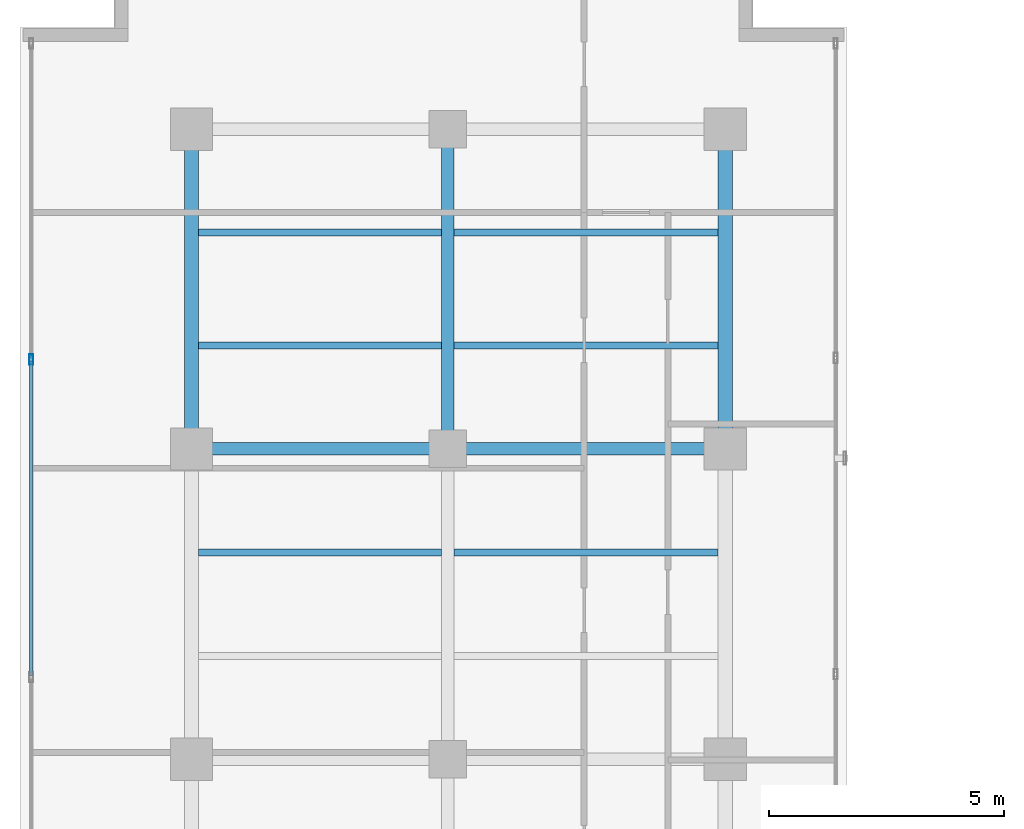
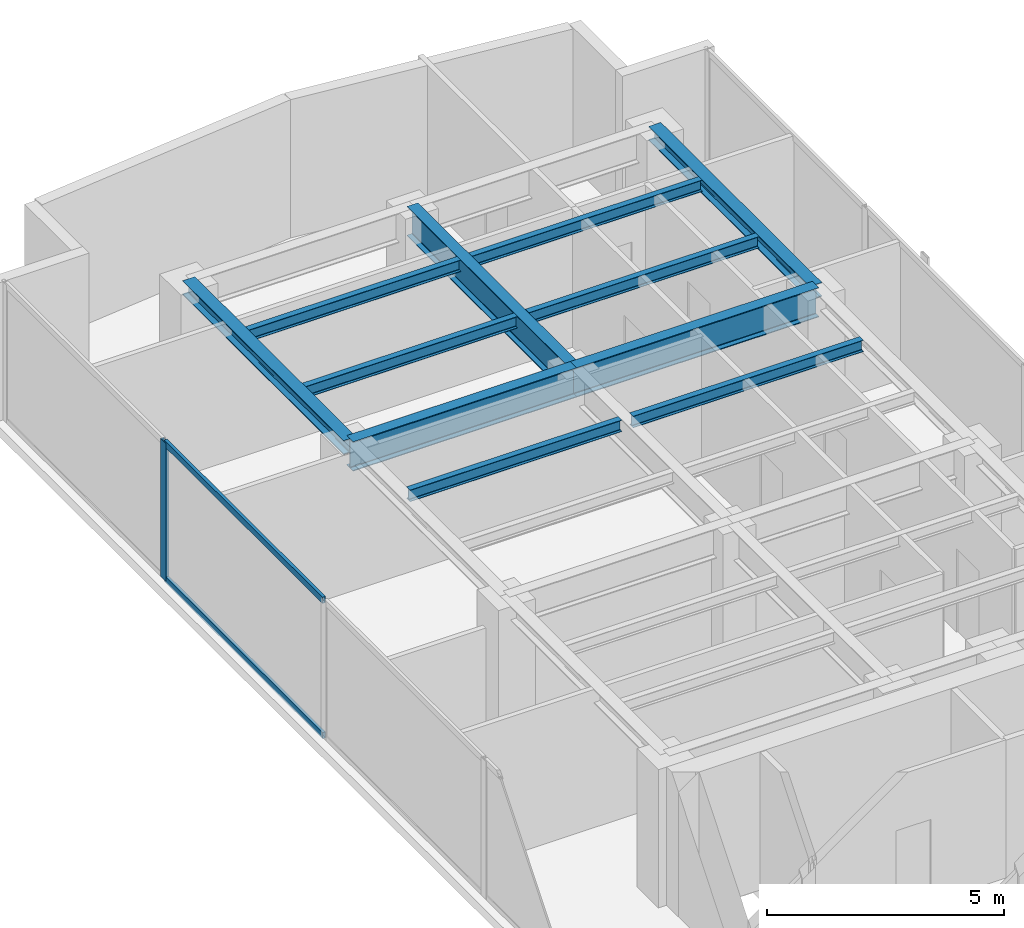
# One storey, part 13 of 22: 11 beams, 3 members, 1 element without a shape of its own.
"""IFC4 building model written with IfcOpenShell, lengths in metres."""

from ifc_helpers import new_model, si_unit, direction, frame, origin, origin_with_axes, origin_2d, place, context, subcontext, project, spatial, hollow_rectangle, i_section, extrude, source, transform, mapped, material, layer, layer_set, material_profile, profile_set, type_object, element, aggregate, save


model = new_model("IFC4")

# Units and contexts
model_context = context("Model", 3, precision=1e-05, world=origin(), true_north=direction((0.0, 1.0)))
body_context = subcontext(model_context, "Body", "Model", "MODEL_VIEW")
ifc_project = project(units=[si_unit("LENGTHUNIT", "METRE"), si_unit("AREAUNIT", "SQUARE_METRE"), si_unit("VOLUMEUNIT", "CUBIC_METRE"), si_unit("PLANEANGLEUNIT", "RADIAN"), si_unit("MASSUNIT", "GRAM", prefix="KILO")], contexts=[model_context])

# Site, building, storey
site_placement = place(None, origin())
site = spatial("IfcSite", under=ifc_project, at=site_placement, CompositionType="ELEMENT")
building_placement = place(site_placement, origin())
building = spatial("IfcBuilding", under=site, at=building_placement, Name="Kolvaren Waterfront Exchange", CompositionType="ELEMENT")
storey_placement = place(building_placement, frame((0.0, 0.0, 266.60009765625)))
storey = spatial("IfcBuildingStorey", under=building, at=storey_placement, Name="L68", CompositionType="ELEMENT", Elevation=266.60009765625)

# Beams
ifc_material_1 = material(Name="Steel S355", Category="steel")
ifc_material_profile_1 = material_profile(ifc_material_1, i_section(OverallWidth=0.300048828125, OverallDepth=0.360107421875, WebThickness=0.012451171875, FlangeThickness=0.0224609375, FilletRadius=0.027099609375, at=origin_2d()), Name="HEB360")
ifc_profile_set_1 = profile_set([ifc_material_profile_1], Name="Steel S355")
beam_type_1 = type_object("IfcBeamType", Name="STR-BM-HEB360", PredefinedType="SPANDREL", material=ifc_profile_set_1)
for number, where, z_axis, x_axis, name in (
    (1, (7.449951171875, 37.800048828125, 3.3798828125), (0.0, 1.0, 0.0), (-1.0, 0.0, 0.0), "L68 north-arm edge beam 3"),
    (2, (18.800048828125, 37.800048828125, 3.3798828125), (0.0, 1.0, 0.0), (-1.0, 0.0, 0.0), "L68 north-arm edge beam 3"),
):
    element("IfcBeam", number, at=place(storey_placement, frame(where, z_axis=z_axis, x_axis=x_axis)), inside=storey, type_object=beam_type_1, Name=name, PredefinedType="SPANDREL", context=body_context, shape_type="SweptSolid", body=[
        extrude(i_section(OverallWidth=0.300048828125, OverallDepth=0.360107421875, WebThickness=0.012451171875, FlangeThickness=0.0224609375, FilletRadius=0.027099609375, at=origin_2d()), origin(), (0.0, 0.0, 1.0), 6.800048828125),
    ])
ifc_material_profile_2 = material_profile(ifc_material_1, i_section(OverallWidth=0.14990234375, OverallDepth=0.300048828125, WebThickness=0.007080078125, FlangeThickness=0.0107421875, FilletRadius=0.014892578125, at=origin_2d()), Name="IPE300")
ifc_profile_set_2 = profile_set([ifc_material_profile_2], Name="Steel S355")
beam_type_2 = type_object("IfcBeamType", Name="STR-BM-IPE300", PredefinedType="JOIST", material=ifc_profile_set_2)
beam_1_placement = place(storey_placement, frame((7.60205078125, 35.60009765625, 3.409912109375), z_axis=(1.0, 0.0, 0.0), x_axis=(0.0, 1.0, 0.0)))
element("IfcBeam", 3, at=beam_1_placement, inside=storey, type_object=beam_type_2, Name="L68 north-arm composite joist 4A", PredefinedType="JOIST", context=body_context, shape_type="SweptSolid", body=[
    extrude(i_section(OverallWidth=0.14990234375, OverallDepth=0.300048828125, WebThickness=0.007080078125, FlangeThickness=0.0107421875, FilletRadius=0.014892578125, at=origin_2d()), origin(), (0.0, 0.0, 1.0), 5.162353515625),
])
beam_2_placement = place(storey_placement, frame((13.035400390625, 35.60009765625, 3.409912109375), z_axis=(1.0, 0.0, 0.0), x_axis=(0.0, 1.0, 0.0)))
element("IfcBeam", 4, at=beam_2_placement, inside=storey, type_object=beam_type_2, Name="L68 north-arm composite joist 4B", PredefinedType="JOIST", context=body_context, shape_type="SweptSolid", body=[
    extrude(i_section(OverallWidth=0.14990234375, OverallDepth=0.300048828125, WebThickness=0.007080078125, FlangeThickness=0.0107421875, FilletRadius=0.014892578125, at=origin_2d()), origin(), (0.0, 0.0, 1.0), 5.612548828125),
])
beam_3_placement = place(storey_placement, frame((7.60205078125, 40.0, 3.409912109375), z_axis=(1.0, 0.0, 0.0), x_axis=(0.0, 1.0, 0.0)))
element("IfcBeam", 5, at=beam_3_placement, inside=storey, type_object=beam_type_2, Name="L68 north-arm composite joist 5A", PredefinedType="JOIST", context=body_context, shape_type="SweptSolid", body=[
    extrude(i_section(OverallWidth=0.14990234375, OverallDepth=0.300048828125, WebThickness=0.007080078125, FlangeThickness=0.0107421875, FilletRadius=0.014892578125, at=origin_2d()), origin(), (0.0, 0.0, 1.0), 5.162353515625),
])
beam_4_placement = place(storey_placement, frame((13.035400390625, 40.0, 3.409912109375), z_axis=(1.0, 0.0, 0.0), x_axis=(0.0, 1.0, 0.0)))
element("IfcBeam", 6, at=beam_4_placement, inside=storey, type_object=beam_type_2, Name="L68 north-arm composite joist 5B", PredefinedType="JOIST", context=body_context, shape_type="SweptSolid", body=[
    extrude(i_section(OverallWidth=0.14990234375, OverallDepth=0.300048828125, WebThickness=0.007080078125, FlangeThickness=0.0107421875, FilletRadius=0.014892578125, at=origin_2d()), origin(), (0.0, 0.0, 1.0), 5.612548828125),
])
beam_5_placement = place(storey_placement, frame((7.60205078125, 42.39990234375, 3.409912109375), z_axis=(1.0, 0.0, 0.0), x_axis=(0.0, 1.0, 0.0)))
element("IfcBeam", 7, at=beam_5_placement, inside=storey, type_object=beam_type_2, Name="L68 north-arm composite joist 6A", PredefinedType="JOIST", context=body_context, shape_type="SweptSolid", body=[
    extrude(i_section(OverallWidth=0.14990234375, OverallDepth=0.300048828125, WebThickness=0.007080078125, FlangeThickness=0.0107421875, FilletRadius=0.014892578125, at=origin_2d()), origin(), (0.0, 0.0, 1.0), 5.162353515625),
])
beam_6_placement = place(storey_placement, frame((13.035400390625, 42.39990234375, 3.409912109375), z_axis=(1.0, 0.0, 0.0), x_axis=(0.0, 1.0, 0.0)))
element("IfcBeam", 8, at=beam_6_placement, inside=storey, type_object=beam_type_2, Name="L68 north-arm composite joist 6B", PredefinedType="JOIST", context=body_context, shape_type="SweptSolid", body=[
    extrude(i_section(OverallWidth=0.14990234375, OverallDepth=0.300048828125, WebThickness=0.007080078125, FlangeThickness=0.0107421875, FilletRadius=0.014892578125, at=origin_2d()), origin(), (0.0, 0.0, 1.0), 5.612548828125),
])
ifc_material_profile_3 = material_profile(ifc_material_1, i_section(OverallWidth=0.26708984375, OverallDepth=0.761962890625, WebThickness=0.014404296875, FlangeThickness=0.021484375, FilletRadius=0.01708984375, at=origin_2d()), Name="IPE750x173")
ifc_profile_set_3 = profile_set([ifc_material_profile_3], Name="Steel S355")
beam_type_3 = type_object("IfcBeamType", Name="STR-BM-IPE750", PredefinedType="BEAM", material=ifc_profile_set_3)
beam_7_placement = place(storey_placement, frame((7.449951171875, 37.800048828125, 3.178955078125), z_axis=(1.0, 0.0, 0.0), x_axis=(0.0, 1.0, 0.0)))
element("IfcBeam", 9, at=beam_7_placement, inside=storey, type_object=beam_type_3, Name="L68 north-arm girder 3A", PredefinedType="BEAM", context=body_context, shape_type="SweptSolid", body=[
    extrude(i_section(OverallWidth=0.26708984375, OverallDepth=0.761962890625, WebThickness=0.014404296875, FlangeThickness=0.021484375, FilletRadius=0.01708984375, at=origin_2d()), origin(), (0.0, 0.0, 1.0), 5.449951171875),
])
beam_8_placement = place(storey_placement, frame((12.89990234375, 37.800048828125, 3.178955078125), z_axis=(1.0, 0.0, 0.0), x_axis=(0.0, 1.0, 0.0)))
element("IfcBeam", 10, at=beam_8_placement, inside=storey, type_object=beam_type_3, Name="L68 north-arm girder 3B", PredefinedType="BEAM", context=body_context, shape_type="SweptSolid", body=[
    extrude(i_section(OverallWidth=0.26708984375, OverallDepth=0.761962890625, WebThickness=0.014404296875, FlangeThickness=0.021484375, FilletRadius=0.01708984375, at=origin_2d()), origin(), (0.0, 0.0, 1.0), 5.900146484375),
])
beam_9_placement = place(storey_placement, frame((12.89990234375, 37.800048828125, 3.178955078125), z_axis=(0.0, 1.0, 0.0), x_axis=(-1.0, 0.0, 0.0)))
element("IfcBeam", 11, at=beam_9_placement, inside=storey, type_object=beam_type_3, Name="L68 north-arm edge beam 3", PredefinedType="BEAM", context=body_context, shape_type="SweptSolid", body=[
    extrude(i_section(OverallWidth=0.26708984375, OverallDepth=0.761962890625, WebThickness=0.014404296875, FlangeThickness=0.021484375, FilletRadius=0.01708984375, at=origin_2d()), origin(), (0.0, 0.0, 1.0), 6.800048828125),
])

# Curtain wall, members
ifc_material_2 = material(Name="Anodised aluminium 6063-T6", Category="aluminium")
ifc_layer = layer(ifc_material_2, 0.219970703125, Name="Anodised aluminium 6063-T6")
ifc_layer_set = layer_set([ifc_layer], Name="Anodised aluminium 6063-T6")
curtain_wall_type = type_object("IfcCurtainWallType", Name="ARC-CW-SYS2", PredefinedType="USERDEFINED", material=ifc_layer_set)
curtain_wall_placement = place(storey_placement, origin())
curtain_wall = element("IfcCurtainWall", 12, at=curtain_wall_placement, inside=storey, type_object=curtain_wall_type, Name="L68 stick curtain wall CW2 (CW-L68-W)", ObjectType="STICK CURTAIN WALL", PredefinedType="USERDEFINED")
ifc_material_profile_4 = material_profile(ifc_material_2, hollow_rectangle(XDim=0.080078125, YDim=0.219970703125, WallThickness=0.0048828125, at=origin_2d()), Name="ALU-MUL-220x80x5")
ifc_profile_set_4 = profile_set([ifc_material_profile_4], Name="Anodised aluminium 6063-T6")
member_type_1 = type_object("IfcMemberType", Name="ARC-CWM-220", PredefinedType="MULLION", material=ifc_profile_set_4)
shared_shape_1 = source(origin_with_axes(), body_context, "Body", "SweptSolid", [
    extrude(hollow_rectangle(XDim=0.080078125, YDim=0.219970703125, WallThickness=0.0048828125, at=origin_2d()), origin(), (0.0, 0.0, 1.0), 3.559814453125),
])
member_1_placement = place(storey_placement, frame((4.0400390625, 39.70263671875, 0.0), z_axis=(0.0, 0.0, 1.0), x_axis=(-1.0, 0.0, 0.0)))
member_1 = element("IfcMember", 13, at=member_1_placement, type_object=member_type_1, Name="CW2 mullion 6", PredefinedType="MULLION", context=body_context, shape_type="MappedRepresentation", body=[
    mapped(shared_shape_1, transform((0.0, 0.0, 0.0), x_axis=(1.0, 0.0, 0.0), y_axis=(0.0, 1.0, 0.0), z_axis=(0.0, 0.0, 1.0), scale=1.0)),
])
ifc_material_profile_5 = material_profile(ifc_material_2, hollow_rectangle(XDim=0.074951171875, YDim=0.159912109375, WallThickness=0.00439453125, at=origin_2d()), Name="ALU-TRN-160x75x4.5")
ifc_profile_set_5 = profile_set([ifc_material_profile_5], Name="Anodised aluminium 6063-T6")
member_type_2 = type_object("IfcMemberType", Name="ARC-CWT-160", PredefinedType="USERDEFINED", material=ifc_profile_set_5)
shared_shape_2 = source(origin_with_axes(), body_context, "Body", "SweptSolid", [
    extrude(hollow_rectangle(XDim=0.074951171875, YDim=0.159912109375, WallThickness=0.00439453125, at=origin_2d()), origin(), (0.0, 0.0, 1.0), 6.680419921875),
])
member_2_placement = place(storey_placement, frame((4.0400390625, 32.982177734375, 0.037353515625), z_axis=(0.0, 1.0, 0.0), x_axis=(-1.0, 0.0, 0.0)))
member_2 = element("IfcMember", 14, at=member_2_placement, type_object=member_type_2, Name="CW2 transom 5.1", ObjectType="TRANSOM", PredefinedType="USERDEFINED", context=body_context, shape_type="MappedRepresentation", body=[
    mapped(shared_shape_2, transform((0.0, 0.0, 0.0), x_axis=(1.0, 0.0, 0.0), y_axis=(0.0, 1.0, 0.0), z_axis=(0.0, 0.0, 1.0), scale=1.0)),
])
member_3_placement = place(storey_placement, frame((4.0400390625, 32.982177734375, 3.5224609375), z_axis=(0.0, 1.0, 0.0), x_axis=(-1.0, 0.0, 0.0)))
member_3 = element("IfcMember", 15, at=member_3_placement, type_object=member_type_2, Name="CW2 transom 5.2", ObjectType="TRANSOM", PredefinedType="USERDEFINED", context=body_context, shape_type="MappedRepresentation", body=[
    mapped(shared_shape_2, transform((0.0, 0.0, 0.0), x_axis=(1.0, 0.0, 0.0), y_axis=(0.0, 1.0, 0.0), z_axis=(0.0, 0.0, 1.0), scale=1.0)),
])
aggregate(curtain_wall, [member_1, member_2, member_3])

save(model, "model.ifc")
